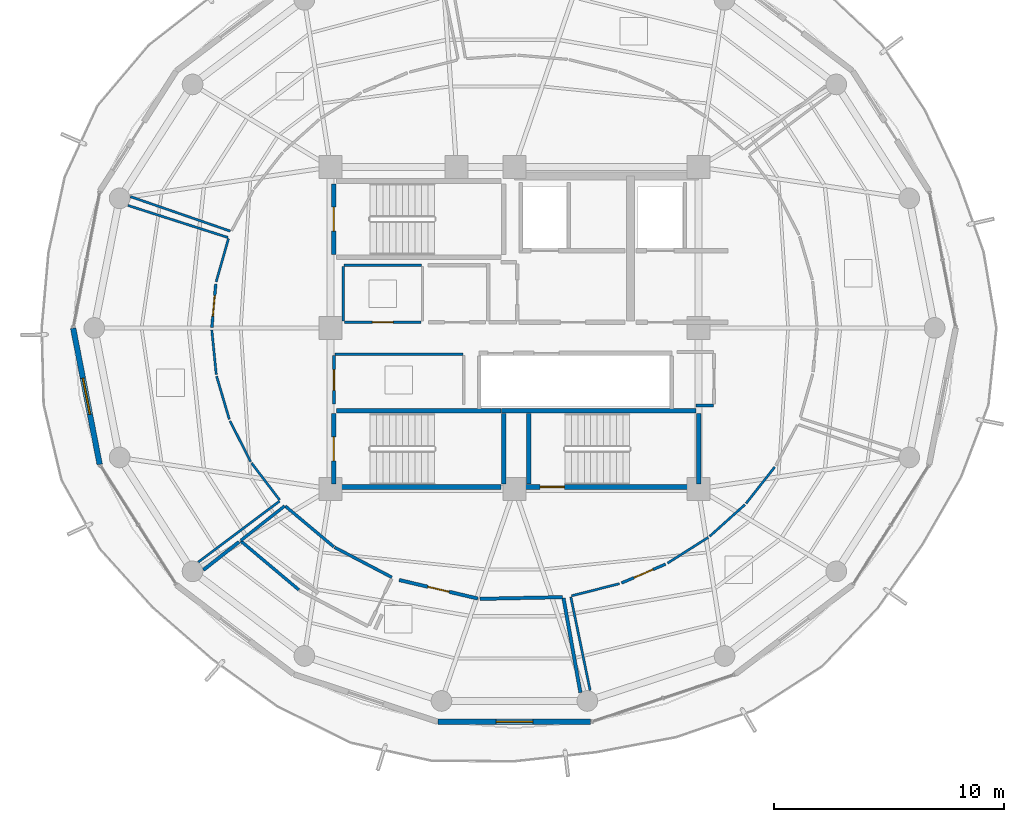
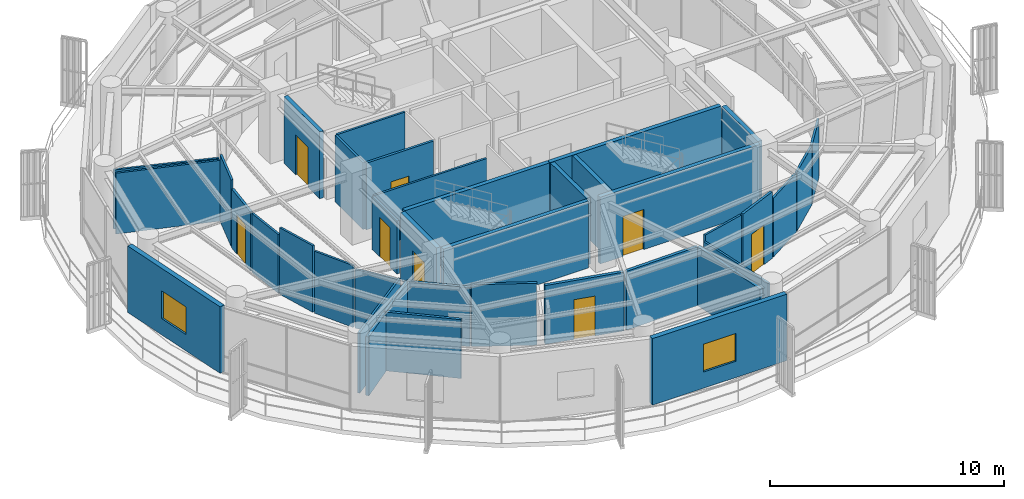
# One storey, part 16 of 23: 40 walls, 8 doors, 2 windows, 10 openings.
"""IFC4 building model written with IfcOpenShell, lengths in metres."""

from ifc_helpers import new_model, si_unit, direction, frame, frame_2d, origin, place, context, subcontext, project, spatial, rectangle, extrude, material, layer, layer_set, type_object, element, fill, save


model = new_model("IFC4")

# Units and contexts
model_context = context("Model", 3, precision=1e-05, world=origin(), true_north=direction((0.0, 1.0)))
body_context = subcontext(model_context, "Body", "Model", "MODEL_VIEW")
ifc_project = project(units=[si_unit("LENGTHUNIT", "METRE"), si_unit("AREAUNIT", "SQUARE_METRE"), si_unit("VOLUMEUNIT", "CUBIC_METRE"), si_unit("PLANEANGLEUNIT", "RADIAN"), si_unit("MASSUNIT", "GRAM", prefix="KILO")], contexts=[model_context])

# Site, building, storey
site_placement = place(None, origin())
site = spatial("IfcSite", under=ifc_project, at=site_placement, CompositionType="ELEMENT")
building_placement = place(site_placement, origin())
building = spatial("IfcBuilding", under=site, at=building_placement, Name="Kelanora Arch Commons", CompositionType="ELEMENT")
storey_placement = place(building_placement, frame((0.0, 0.0, 282.449951171875)))
storey = spatial("IfcBuildingStorey", under=building, at=storey_placement, Name="L72", CompositionType="ELEMENT", Elevation=282.449951171875)

# Wall, opening, door
ifc_material_1 = material(Name="Autoclaved aerated concrete blockwork with fire plaster", Category="masonry")
ifc_layer_1 = layer(ifc_material_1, 0.14990234375)
ifc_layer_set_1 = layer_set([ifc_layer_1], Name="Autoclaved aerated concrete blockwork with fire plaster")
wall_type_1 = type_object("IfcWallType", Name="W-COMP-150", PredefinedType="PARTITIONING", material=ifc_layer_set_1)
wall_1_placement = place(storey_placement, frame((68.9833984375, 47.033203125, 0.0), z_axis=(0.0, 0.0, 1.0), x_axis=(0.973265021884, -0.229684995542, 0.0)))
wall_1 = element("IfcWall", 1, at=wall_1_placement, inside=storey, type_object=wall_type_1, Name="Co-Living Studio L72-03 Entry Partition", PredefinedType="PARTITIONING", context=body_context, shape_type="SweptSolid", body=[
    extrude(rectangle(XDim=3.519287109375, YDim=0.14990234375, at=frame_2d((1.759765625, 0.0))), origin(), (0.0, 0.0, 1.0), 3.074951171875),
])
opening_1_placement = place(wall_1_placement, frame((1.284912109375, 0.0, 0.0)))
opening_1 = element("IfcOpeningElement", 2, at=opening_1_placement, cuts=wall_1, Name="Opening D-CLU1", PredefinedType="OPENING", context=body_context, shape_type="SweptSolid", body=[
    extrude(rectangle(XDim=0.949951171875, YDim=2.080078125, at=frame_2d((0.47509765625, 1.0400390625))), frame((0.0, 0.0849609375, 0.0), z_axis=(0.0, -1.0, 0.0), x_axis=(1.0, 0.0, 0.0)), (0.0, 0.0, 1.0), 0.169921875),
])
ifc_material_2 = material(Name="Solid-core acoustic timber cluster entry fire door", Category="wood")
door_type_1 = type_object("IfcDoorType", Name="D-CLU-95", OperationType="NOTDEFINED", PredefinedType="DOOR", material=ifc_material_2)
door_1_placement = place(opening_1_placement, origin())
door_1 = element("IfcDoor", 3, at=door_1_placement, inside=storey, type_object=door_type_1, Name="Co-Living Studio L72-03 Door", OperationType="SINGLE_SWING_RIGHT", OverallHeight=2.080078125, OverallWidth=0.949951171875, PredefinedType="DOOR", context=body_context, shape_type="SweptSolid", body=[
    extrude(rectangle(XDim=0.949951171875, YDim=2.080078125, at=frame_2d((0.47509765625, 1.0400390625))), frame((0.0, 0.02490234375, 0.0), z_axis=(0.0, -1.0, 0.0), x_axis=(1.0, 0.0, 0.0)), (0.0, 0.0, 1.0), 0.050048828125),
])
fill(opening_1, door_1)

# Walls
wall_2_placement = place(storey_placement, frame((72.507080078125, 46.2119140625, 0.0), z_axis=(0.0, 0.0, 1.0), x_axis=(0.999790880908, 0.02044980325, 0.0)))
element("IfcWall", 4, at=wall_2_placement, inside=storey, type_object=wall_type_1, Name="Co-Living Studio L72-03 Enclosure Partition 2", PredefinedType="PARTITIONING", context=body_context, shape_type="SweptSolid", body=[
    extrude(rectangle(XDim=3.58154296875, YDim=0.14990234375, at=frame_2d((1.790771484375, 0.0))), origin(), (0.0, 0.0, 1.0), 3.074951171875),
])
wall_3_placement = place(storey_placement, frame((76.135009765625, 46.24658203125, 0.0), z_axis=(0.0, 0.0, 1.0), x_axis=(0.176199339585, -0.984354505618, 0.0)))
element("IfcWall", 5, at=wall_3_placement, inside=storey, type_object=wall_type_1, Name="Co-Living Studio L72-03 Enclosure Partition 3", PredefinedType="PARTITIONING", context=body_context, shape_type="SweptSolid", body=[
    extrude(rectangle(XDim=4.17626953125, YDim=0.14990234375, at=frame_2d((2.088134765625, 0.0))), origin(), (0.0, 0.0, 1.0), 3.074951171875),
])
wall_4_placement = place(storey_placement, frame((60.4677734375, 47.467529296875, 0.0), z_axis=(0.0, 0.0, 1.0), x_axis=(0.785768578647, 0.618520606618, 0.0)))
element("IfcWall", 6, at=wall_4_placement, inside=storey, type_object=wall_type_1, Name="Co-Living Studio L72-03 Enclosure Partition 6", PredefinedType="PARTITIONING", context=body_context, shape_type="SweptSolid", body=[
    extrude(rectangle(XDim=1.9736328125, YDim=0.14990234375, at=frame_2d((0.98681640625, 0.0))), origin(), (0.0, 0.0, 1.0), 3.074951171875),
])

# Wall, opening, window
ifc_material_3 = material(Name="Precast concrete C40/50 upper-zone terracotta rainscreen", Category="masonry")
ifc_layer_2 = layer(ifc_material_3, 0.239990234375)
ifc_layer_set_2 = layer_set([ifc_layer_2], Name="Precast concrete C40/50 upper-zone terracotta rainscreen")
wall_type_2 = type_object("IfcWallType", Name="W-EXT-TC2", PredefinedType="SOLIDWALL", material=ifc_layer_set_2)
wall_5_placement = place(storey_placement, frame((54.802978515625, 57.9853515625, 0.0), z_axis=(0.0, 0.0, 1.0), x_axis=(0.190969309115, -0.981596008028, 0.0)))
wall_5 = element("IfcWall", 7, at=wall_5_placement, inside=storey, type_object=wall_type_2, Name="Terracotta Exterior Wall L72-B09", PredefinedType="SOLIDWALL", context=body_context, shape_type="SweptSolid", body=[
    extrude(rectangle(XDim=6.032958984375, YDim=0.239990234375, at=frame_2d((3.0166015625, 0.0))), origin(), (0.0, 0.0, 1.0), 3.47509765625),
])
opening_2_placement = place(wall_5_placement, frame((2.216064453125, 0.0, 0.85009765625)))
opening_2 = element("IfcOpeningElement", 8, at=opening_2_placement, cuts=wall_5, Name="Opening WN-01", PredefinedType="OPENING", context=body_context, shape_type="SweptSolid", body=[
    extrude(rectangle(XDim=1.60009765625, YDim=1.449951171875, at=frame_2d((0.800048828125, 0.72509765625))), frame((0.0, 0.1298828125, 0.0), z_axis=(0.0, -1.0, 0.0), x_axis=(1.0, 0.0, 0.0)), (0.0, 0.0, 1.0), 0.260009765625),
])
ifc_material_4 = material(Name="Terracotta-anodised aluminium frame with operable low-E glazing", Category="masonry")
window_type = type_object("IfcWindowType", Name="WIN-CL-18", PartitioningType="DOUBLE_PANEL_VERTICAL", PredefinedType="WINDOW", material=ifc_material_4)
window_1_placement = place(opening_2_placement, origin())
window_1 = element("IfcWindow", 9, at=window_1_placement, inside=storey, type_object=window_type, Name="Co-Living Operable Window L72-B09", OverallHeight=1.449951171875, OverallWidth=1.60009765625, PartitioningType="SINGLE_PANEL", PredefinedType="WINDOW", context=body_context, shape_type="SweptSolid", body=[
    extrude(rectangle(XDim=1.60009765625, YDim=1.449951171875, at=frame_2d((0.800048828125, 0.72509765625))), frame((0.0, 0.030029296875, 0.0), z_axis=(0.0, -1.0, 0.0), x_axis=(1.0, 0.0, 0.0)), (0.0, 0.0, 1.0), 0.06005859375),
])
fill(opening_2, window_1)

wall_6_placement = place(storey_placement, frame((70.680908203125, 40.8642578125, 0.0), z_axis=(0.0, 0.0, 1.0), x_axis=(1.0, 0.0, 0.0)))
wall_6 = element("IfcWall", 10, at=wall_6_placement, inside=storey, type_object=wall_type_2, Name="Terracotta Exterior Wall L72-B13", PredefinedType="SOLIDWALL", context=body_context, shape_type="SweptSolid", body=[
    extrude(rectangle(XDim=6.63818359375, YDim=0.239990234375, at=frame_2d((3.319091796875, 0.0))), origin(), (0.0, 0.0, 1.0), 3.47509765625),
])
opening_3_placement = place(wall_6_placement, frame((2.51904296875, 0.0, 0.85009765625)))
opening_3 = element("IfcOpeningElement", 11, at=opening_3_placement, cuts=wall_6, Name="Opening WN-01", PredefinedType="OPENING", context=body_context, shape_type="SweptSolid", body=[
    extrude(rectangle(XDim=1.60009765625, YDim=1.449951171875, at=frame_2d((0.800048828125, 0.72509765625))), frame((0.0, 0.1298828125, 0.0), z_axis=(0.0, -1.0, 0.0), x_axis=(1.0, 0.0, 0.0)), (0.0, 0.0, 1.0), 0.260009765625),
])
window_2_placement = place(opening_3_placement, origin())
window_2 = element("IfcWindow", 12, at=window_2_placement, inside=storey, type_object=window_type, Name="Co-Living Operable Window L72-B13", OverallHeight=1.449951171875, OverallWidth=1.60009765625, PartitioningType="SINGLE_PANEL", PredefinedType="WINDOW", context=body_context, shape_type="SweptSolid", body=[
    extrude(rectangle(XDim=1.60009765625, YDim=1.449951171875, at=frame_2d((0.800048828125, 0.72509765625))), frame((0.0, 0.030029296875, 0.0), z_axis=(0.0, -1.0, 0.0), x_axis=(1.0, 0.0, 0.0)), (0.0, 0.0, 1.0), 0.06005859375),
])
fill(opening_3, window_2)

# Walls
ifc_material_5 = material(Name="Lightweight fire-rated acoustic stud partition")
ifc_layer_3 = layer(ifc_material_5, 0.10009765625)
ifc_layer_set_3 = layer_set([ifc_layer_3], Name="Lightweight fire-rated acoustic stud partition")
wall_type_3 = type_object("IfcWallType", Name="W-PART-100", PredefinedType="PARTITIONING", material=ifc_layer_set_3)
wall_7_placement = place(storey_placement, frame((69.9599609375, 60.719970703125, 0.0), z_axis=(0.0, 0.0, 1.0), x_axis=(-1.0, 0.0, 0.0)))
element("IfcWall", 13, at=wall_7_placement, inside=storey, type_object=wall_type_3, Name="Reclaimed Core Quiet Phone Booths L72 Enclosure Partition 3", PredefinedType="PARTITIONING", context=body_context, shape_type="SweptSolid", body=[
    extrude(rectangle(XDim=3.369873046875, YDim=0.10009765625, at=frame_2d((1.68505859375, 0.0))), origin(), (0.0, 0.0, 1.0), 3.47998046875),
])
wall_8_placement = place(storey_placement, frame((66.550048828125, 60.679931640625, 0.0), z_axis=(0.0, 0.0, 1.0), x_axis=(0.0, -1.0, 0.0)))
element("IfcWall", 14, at=wall_8_placement, inside=storey, type_object=wall_type_3, Name="Reclaimed Core Quiet Phone Booths L72 Enclosure Partition 4", PredefinedType="PARTITIONING", context=body_context, shape_type="SweptSolid", body=[
    extrude(rectangle(XDim=2.389892578125, YDim=0.10009765625, at=frame_2d((1.19482421875, 0.0))), origin(), (0.0, 0.0, 1.0), 3.47998046875),
])
wall_9_placement = place(storey_placement, frame((71.760009765625, 56.85009765625, 0.0), z_axis=(0.0, 0.0, 1.0), x_axis=(-1.0, 0.0, 0.0)))
element("IfcWall", 15, at=wall_9_placement, inside=storey, type_object=wall_type_3, Name="Reclaimed Core High-Zone Pantry and Copy Room L72 Enclosure Partition 3", PredefinedType="PARTITIONING", context=body_context, shape_type="SweptSolid", body=[
    extrude(rectangle(XDim=5.570068359375, YDim=0.10009765625, at=frame_2d((2.78515625, 0.0))), origin(), (0.0, 0.0, 1.0), 2.775146484375),
])
wall_10_placement = place(storey_placement, frame((61.64208984375, 62.208984375, 0.0), z_axis=(0.0, 0.0, 1.0), x_axis=(-0.945103281494, 0.326771766388, 0.0)))
element("IfcWall", 16, at=wall_10_placement, inside=storey, type_object=wall_type_3, Name="Communal Dining and Social Hall L72-01 Enclosure Partition 7", PredefinedType="PARTITIONING", context=body_context, shape_type="SweptSolid", body=[
    extrude(rectangle(XDim=4.603759765625, YDim=0.10009765625, at=frame_2d((2.3017578125, 0.0))), origin(), (0.0, 0.0, 1.0), 3.074951171875),
])
wall_11_placement = place(storey_placement, frame((61.55908203125, 61.884521484375, 0.0), z_axis=(0.0, 0.0, 1.0), x_axis=(-0.274226302341, -0.961665188673, 0.0)))
element("IfcWall", 17, at=wall_11_placement, inside=storey, type_object=wall_type_3, Name="Social Sky Lounge L72-02 Enclosure Partition 1", PredefinedType="PARTITIONING", context=body_context, shape_type="SweptSolid", body=[
    extrude(rectangle(XDim=1.955078125, YDim=0.10009765625, at=frame_2d((0.9775390625, 0.0))), origin(), (0.0, 0.0, 1.0), 3.47998046875),
])
wall_12_placement = place(storey_placement, frame((60.833984375, 57.912109375, 0.0), z_axis=(0.0, 0.0, 1.0), x_axis=(0.098769631998, -0.995110325439, 0.0)))
element("IfcWall", 18, at=wall_12_placement, inside=storey, type_object=wall_type_3, Name="Social Sky Lounge L72-02 Enclosure Partition 3", PredefinedType="PARTITIONING", context=body_context, shape_type="SweptSolid", body=[
    extrude(rectangle(XDim=1.94287109375, YDim=0.10009765625, at=frame_2d((0.971435546875, 0.0))), origin(), (0.0, 0.0, 1.0), 3.074951171875),
])
wall_13_placement = place(storey_placement, frame((61.041259765625, 55.900634765625, 0.0), z_axis=(0.0, 0.0, 1.0), x_axis=(0.28293653612, -0.959138632591, 0.0)))
element("IfcWall", 19, at=wall_13_placement, inside=storey, type_object=wall_type_3, Name="Social Sky Lounge L72-02 Enclosure Partition 4", PredefinedType="PARTITIONING", context=body_context, shape_type="SweptSolid", body=[
    extrude(rectangle(XDim=1.9560546875, YDim=0.10009765625, at=frame_2d((0.97802734375, 0.0))), origin(), (0.0, 0.0, 1.0), 3.47998046875),
])
wall_14_placement = place(storey_placement, frame((61.6240234375, 53.950439453125, 0.0), z_axis=(0.0, 0.0, 1.0), x_axis=(0.453658133306, -0.891175795276, 0.0)))
element("IfcWall", 20, at=wall_14_placement, inside=storey, type_object=wall_type_3, Name="Social Sky Lounge L72-02 Enclosure Partition 5", PredefinedType="PARTITIONING", context=body_context, shape_type="SweptSolid", body=[
    extrude(rectangle(XDim=1.9814453125, YDim=0.10009765625, at=frame_2d((0.99072265625, 0.0))), origin(), (0.0, 0.0, 1.0), 3.235107421875),
])
wall_15_placement = place(storey_placement, frame((62.565185546875, 52.1171875, 0.0), z_axis=(0.0, 0.0, 1.0), x_axis=(0.605473441765, -0.795865510823, 0.0)))
element("IfcWall", 21, at=wall_15_placement, inside=storey, type_object=wall_type_3, Name="Social Sky Lounge L72-02 Enclosure Partition 6", PredefinedType="PARTITIONING", context=body_context, shape_type="SweptSolid", body=[
    extrude(rectangle(XDim=2.014404296875, YDim=0.10009765625, at=frame_2d((1.00732421875, 0.0))), origin(), (0.0, 0.0, 1.0), 3.074951171875),
])
wall_16_placement = place(storey_placement, frame((63.777099609375, 50.4580078125, 0.0), z_axis=(0.0, 0.0, 1.0), x_axis=(-0.800384816546, -0.599486568191, 0.0)))
element("IfcWall", 22, at=wall_16_placement, inside=storey, type_object=wall_type_3, Name="Social Sky Lounge L72-02 Enclosure Partition 7", PredefinedType="PARTITIONING", context=body_context, shape_type="SweptSolid", body=[
    extrude(rectangle(XDim=4.413818359375, YDim=0.10009765625, at=frame_2d((2.20703125, 0.0))), origin(), (0.0, 0.0, 1.0), 3.175048828125),
])
wall_17_placement = place(storey_placement, frame((57.184326171875, 63.328857421875, 0.0), z_axis=(0.0, 0.0, 1.0), x_axis=(0.95227750557, -0.305233602976, 0.0)))
element("IfcWall", 23, at=wall_17_placement, inside=storey, type_object=wall_type_3, Name="Social Sky Lounge L72-02 Enclosure Partition 14", PredefinedType="PARTITIONING", context=body_context, shape_type="SweptSolid", body=[
    extrude(rectangle(XDim=4.5654296875, YDim=0.10009765625, at=frame_2d((2.28271484375, 0.0))), origin(), (0.0, 0.0, 1.0), 3.175048828125),
])
wall_18_placement = place(storey_placement, frame((76.48388671875, 46.345703125, 0.0), z_axis=(0.0, 0.0, 1.0), x_axis=(0.969827312174, 0.243792913272, 0.0)))
element("IfcWall", 24, at=wall_18_placement, inside=storey, type_object=wall_type_3, Name="Quiet Seminar Study Room L72-04 Enclosure Partition 1", PredefinedType="PARTITIONING", context=body_context, shape_type="SweptSolid", body=[
    extrude(rectangle(XDim=2.14697265625, YDim=0.10009765625, at=frame_2d((1.073486328125, 0.0))), origin(), (0.0, 0.0, 1.0), 3.47998046875),
])
wall_19_placement = place(storey_placement, frame((80.664794921875, 47.766357421875, 0.0), z_axis=(0.0, 0.0, 1.0), x_axis=(0.844856002064, 0.534993771717, 0.0)))
element("IfcWall", 25, at=wall_19_placement, inside=storey, type_object=wall_type_3, Name="Quiet Seminar Study Room L72-04 Enclosure Partition 3", PredefinedType="PARTITIONING", context=body_context, shape_type="SweptSolid", body=[
    extrude(rectangle(XDim=2.091796875, YDim=0.10009765625, at=frame_2d((1.0458984375, 0.0))), origin(), (0.0, 0.0, 1.0), 3.074951171875),
])
wall_20_placement = place(storey_placement, frame((82.495849609375, 48.93359375, 0.0), z_axis=(0.0, 0.0, 1.0), x_axis=(0.743943808924, 0.668242178527, 0.0)))
element("IfcWall", 26, at=wall_20_placement, inside=storey, type_object=wall_type_3, Name="Quiet Seminar Study Room L72-04 Enclosure Partition 4", PredefinedType="PARTITIONING", context=body_context, shape_type="SweptSolid", body=[
    extrude(rectangle(XDim=2.054443359375, YDim=0.10009765625, at=frame_2d((1.02734375, 0.0))), origin(), (0.0, 0.0, 1.0), 3.074951171875),
])
wall_21_placement = place(storey_placement, frame((84.07861328125, 50.364501953125, 0.0), z_axis=(0.0, 0.0, 1.0), x_axis=(0.618820199788, 0.785532660259, 0.0)))
element("IfcWall", 27, at=wall_21_placement, inside=storey, type_object=wall_type_3, Name="Quiet Seminar Study Room L72-04 Enclosure Partition 5", PredefinedType="PARTITIONING", context=body_context, shape_type="SweptSolid", body=[
    extrude(rectangle(XDim=2.01806640625, YDim=0.10009765625, at=frame_2d((1.009033203125, 0.0))), origin(), (0.0, 0.0, 1.0), 3.074951171875),
])
wall_22_placement = place(storey_placement, frame((77.293212890625, 42.230224609375, 0.0), z_axis=(0.0, 0.0, 1.0), x_axis=(-0.202308141573, 0.979321916355, 0.0)))
element("IfcWall", 28, at=wall_22_placement, inside=storey, type_object=wall_type_3, Name="Quiet Seminar Study Room L72-04 Enclosure Partition 14", PredefinedType="PARTITIONING", context=body_context, shape_type="SweptSolid", body=[
    extrude(rectangle(XDim=4.152587890625, YDim=0.10009765625, at=frame_2d((2.076171875, 0.0))), origin(), (0.0, 0.0, 1.0), 3.175048828125),
])

# Wall, opening, door
ifc_material_6 = material(Name="Acoustic twin-stud fire-rated gypsum partition")
ifc_layer_4 = layer(ifc_material_6, 0.1201171875)
ifc_layer_set_4 = layer_set([ifc_layer_4], Name="Acoustic twin-stud fire-rated gypsum partition")
wall_type_4 = type_object("IfcWallType", Name="W-PART-120", PredefinedType="PARTITIONING", material=ifc_layer_set_4)
wall_23_placement = place(storey_placement, frame((66.610107421875, 58.25, 0.0), z_axis=(0.0, 0.0, 1.0), x_axis=(1.0, 0.0, 0.0)))
wall_23 = element("IfcWall", 29, at=wall_23_placement, inside=storey, type_object=wall_type_4, Name="Reclaimed Core Quiet Phone Booths L72 Entry Partition", PredefinedType="PARTITIONING", context=body_context, shape_type="SweptSolid", body=[
    extrude(rectangle(XDim=3.329833984375, YDim=0.1201171875, at=frame_2d((1.6650390625, 0.0))), origin(), (0.0, 0.0, 1.0), 3.47998046875),
])
opening_4_placement = place(wall_23_placement, frame((1.215087890625, 0.0, 0.0)))
opening_4 = element("IfcOpeningElement", 30, at=opening_4_placement, cuts=wall_23, Name="Opening D-RM1", PredefinedType="OPENING", context=body_context, shape_type="SweptSolid", body=[
    extrude(rectangle(XDim=0.89990234375, YDim=2.080078125, at=frame_2d((0.449951171875, 1.0400390625))), frame((0.0, 0.070068359375, 0.0), z_axis=(0.0, -1.0, 0.0), x_axis=(1.0, 0.0, 0.0)), (0.0, 0.0, 1.0), 0.14013671875),
])
ifc_material_7 = material(Name="Acoustic fire-rated timber study and lounge door", Category="wood")
door_type_2 = type_object("IfcDoorType", Name="D-ROOM-90", OperationType="NOTDEFINED", PredefinedType="DOOR", material=ifc_material_7)
door_2_placement = place(opening_4_placement, origin())
door_2 = element("IfcDoor", 31, at=door_2_placement, inside=storey, type_object=door_type_2, Name="Reclaimed Core Quiet Phone Booths L72 Door", OperationType="SINGLE_SWING_RIGHT", OverallHeight=2.080078125, OverallWidth=0.89990234375, PredefinedType="DOOR", context=body_context, shape_type="SweptSolid", body=[
    extrude(rectangle(XDim=0.89990234375, YDim=2.080078125, at=frame_2d((0.449951171875, 1.0400390625))), frame((0.0, 0.02490234375, 0.0), z_axis=(0.0, -1.0, 0.0), x_axis=(1.0, 0.0, 0.0)), (0.0, 0.0, 1.0), 0.050048828125),
])
fill(opening_4, door_2)

wall_24_placement = place(storey_placement, frame((66.14990234375, 54.679931640625, 0.0), z_axis=(0.0, 0.0, 1.0), x_axis=(0.0, 1.0, 0.0)))
wall_24 = element("IfcWall", 32, at=wall_24_placement, inside=storey, type_object=wall_type_4, Name="Reclaimed Core High-Zone Pantry and Copy Room L72 Entry Partition", PredefinedType="PARTITIONING", context=body_context, shape_type="SweptSolid", body=[
    extrude(rectangle(XDim=2.110107421875, YDim=0.1201171875, at=frame_2d((1.05517578125, 0.0))), origin(), (0.0, 0.0, 1.0), 2.775146484375),
])
opening_5_placement = place(wall_24_placement, frame((0.60498046875, 0.0, 0.0)))
opening_5 = element("IfcOpeningElement", 33, at=opening_5_placement, cuts=wall_24, Name="Opening D-RM1", PredefinedType="OPENING", context=body_context, shape_type="SweptSolid", body=[
    extrude(rectangle(XDim=0.89990234375, YDim=2.080078125, at=frame_2d((0.449951171875, 1.0400390625))), frame((0.0, 0.070068359375, 0.0), z_axis=(0.0, -1.0, 0.0), x_axis=(1.0, 0.0, 0.0)), (0.0, 0.0, 1.0), 0.14013671875),
])
door_3_placement = place(opening_5_placement, origin())
door_3 = element("IfcDoor", 34, at=door_3_placement, inside=storey, type_object=door_type_2, Name="Reclaimed Core High-Zone Pantry and Copy Room L72 Door", OperationType="SINGLE_SWING_RIGHT", OverallHeight=2.080078125, OverallWidth=0.89990234375, PredefinedType="DOOR", context=body_context, shape_type="SweptSolid", body=[
    extrude(rectangle(XDim=0.89990234375, YDim=2.080078125, at=frame_2d((0.449951171875, 1.0400390625))), frame((0.0, 0.02490234375, 0.0), z_axis=(0.0, -1.0, 0.0), x_axis=(1.0, 0.0, 0.0)), (0.0, 0.0, 1.0), 0.050048828125),
])
fill(opening_5, door_3)

wall_25_placement = place(storey_placement, frame((61.006591796875, 59.90625, 0.0), z_axis=(0.0, 0.0, 1.0), x_axis=(-0.089968706127, -0.995944592795, 0.0)))
wall_25 = element("IfcWall", 35, at=wall_25_placement, inside=storey, type_object=wall_type_4, Name="Social Sky Lounge L72-02 Entry Partition", PredefinedType="PARTITIONING", context=body_context, shape_type="SweptSolid", body=[
    extrude(rectangle(XDim=1.90234375, YDim=0.1201171875, at=frame_2d((0.951171875, 0.0))), origin(), (0.0, 0.0, 1.0), 3.074951171875),
])
opening_6_placement = place(wall_25_placement, frame((0.5009765625, 0.0, 0.0)))
opening_6 = element("IfcOpeningElement", 36, at=opening_6_placement, cuts=wall_25, Name="Opening D-RM1", PredefinedType="OPENING", context=body_context, shape_type="SweptSolid", body=[
    extrude(rectangle(XDim=0.89990234375, YDim=2.080078125, at=frame_2d((0.449951171875, 1.0400390625))), frame((0.0, 0.070068359375, 0.0), z_axis=(0.0, -1.0, 0.0), x_axis=(1.0, 0.0, 0.0)), (0.0, 0.0, 1.0), 0.14013671875),
])
door_4_placement = place(opening_6_placement, origin())
door_4 = element("IfcDoor", 37, at=door_4_placement, inside=storey, type_object=door_type_2, Name="Social Sky Lounge L72-02 Door", OperationType="SINGLE_SWING_RIGHT", OverallHeight=2.080078125, OverallWidth=0.89990234375, PredefinedType="DOOR", context=body_context, shape_type="SweptSolid", body=[
    extrude(rectangle(XDim=0.89990234375, YDim=2.080078125, at=frame_2d((0.449951171875, 1.0400390625))), frame((0.0, 0.02490234375, 0.0), z_axis=(0.0, -1.0, 0.0), x_axis=(1.0, 0.0, 0.0)), (0.0, 0.0, 1.0), 0.050048828125),
])
fill(opening_6, door_4)

wall_26_placement = place(storey_placement, frame((78.66015625, 46.902587890625, 0.0), z_axis=(0.0, 0.0, 1.0), x_axis=(0.919508345424, 0.39307048057, 0.0)))
wall_26 = element("IfcWall", 38, at=wall_26_placement, inside=storey, type_object=wall_type_4, Name="Quiet Seminar Study Room L72-04 Entry Partition", PredefinedType="PARTITIONING", context=body_context, shape_type="SweptSolid", body=[
    extrude(rectangle(XDim=2.083251953125, YDim=0.1201171875, at=frame_2d((1.04150390625, 0.0))), origin(), (0.0, 0.0, 1.0), 3.47998046875),
])
opening_7_placement = place(wall_26_placement, frame((0.592041015625, 0.0, 0.0)))
opening_7 = element("IfcOpeningElement", 39, at=opening_7_placement, cuts=wall_26, Name="Opening D-RM1", PredefinedType="OPENING", context=body_context, shape_type="SweptSolid", body=[
    extrude(rectangle(XDim=0.89990234375, YDim=2.080078125, at=frame_2d((0.449951171875, 1.0400390625))), frame((0.0, 0.070068359375, 0.0), z_axis=(0.0, -1.0, 0.0), x_axis=(1.0, 0.0, 0.0)), (0.0, 0.0, 1.0), 0.14013671875),
])
door_5_placement = place(opening_7_placement, origin())
door_5 = element("IfcDoor", 40, at=door_5_placement, inside=storey, type_object=door_type_2, Name="Quiet Seminar Study Room L72-04 Door", OperationType="SINGLE_SWING_LEFT", OverallHeight=2.080078125, OverallWidth=0.89990234375, PredefinedType="DOOR", context=body_context, shape_type="SweptSolid", body=[
    extrude(rectangle(XDim=0.89990234375, YDim=2.080078125, at=frame_2d((0.449951171875, 1.0400390625))), frame((0.0, 0.02490234375, 0.0), z_axis=(0.0, -1.0, 0.0), x_axis=(1.0, 0.0, 0.0)), (0.0, 0.0, 1.0), 0.050048828125),
])
fill(opening_7, door_5)

ifc_material_8 = material(Name="Concrete C40/50", Category="concrete")
ifc_layer_5 = layer(ifc_material_8, 0.199951171875)
ifc_layer_set_5 = layer_set([ifc_layer_5], Name="Concrete C40/50")
wall_type_5 = type_object("IfcWallType", Name="W-STAIR-200", PredefinedType="SHEAR", material=ifc_layer_set_5)
wall_27_placement = place(storey_placement, frame((66.139892578125, 64.27001953125, 0.0), z_axis=(0.0, 0.0, 1.0), x_axis=(0.0, -1.0, 0.0)))
wall_27 = element("IfcWall", 41, at=wall_27_placement, inside=storey, type_object=wall_type_5, Name="Stair ST-T1 Shaft Wall W L72", PredefinedType="SHEAR", context=body_context, shape_type="SweptSolid", body=[
    extrude(rectangle(XDim=3.070068359375, YDim=0.199951171875, at=frame_2d((1.53515625, 0.0))), origin(), (0.0, 0.0, 1.0), 3.489990234375),
])
opening_8_placement = place(wall_27_placement, frame((1.010009765625, 0.0, 0.0)))
opening_8 = element("IfcOpeningElement", 42, at=opening_8_placement, cuts=wall_27, Name="Opening D-ST1", PredefinedType="OPENING", context=body_context, shape_type="SweptSolid", body=[
    extrude(rectangle(XDim=1.050048828125, YDim=2.10009765625, at=frame_2d((0.52490234375, 1.050048828125))), frame((0.0, 0.10986328125, 0.0), z_axis=(0.0, -1.0, 0.0), x_axis=(1.0, 0.0, 0.0)), (0.0, 0.0, 1.0), 0.219970703125),
])
ifc_material_9 = material(Name="Steel fire-rated stairwell escape door", Category="steel")
door_type_3 = type_object("IfcDoorType", Name="D-STAIR-110", OperationType="NOTDEFINED", PredefinedType="DOOR", material=ifc_material_9)
door_6_placement = place(opening_8_placement, origin())
door_6 = element("IfcDoor", 43, at=door_6_placement, inside=storey, type_object=door_type_3, Name="Stair ST-T1 Escape Door L72", OperationType="SINGLE_SWING_LEFT", OverallHeight=2.10009765625, OverallWidth=1.050048828125, PredefinedType="DOOR", context=body_context, shape_type="SweptSolid", body=[
    extrude(rectangle(XDim=1.050048828125, YDim=2.10009765625, at=frame_2d((0.52490234375, 1.050048828125))), frame((0.0, 0.02490234375, 0.0), z_axis=(0.0, -1.0, 0.0), x_axis=(1.0, 0.0, 0.0)), (0.0, 0.0, 1.0), 0.050048828125),
])
fill(opening_8, door_6)

wall_28_placement = place(storey_placement, frame((74.0, 51.080078125, 0.0), z_axis=(0.0, 0.0, 1.0), x_axis=(1.0, 0.0, 0.0)))
wall_28 = element("IfcWall", 44, at=wall_28_placement, inside=storey, type_object=wall_type_5, Name="Stair ST-T2 Shaft Wall S L72", PredefinedType="SHEAR", context=body_context, shape_type="SweptSolid", body=[
    extrude(rectangle(XDim=7.89990234375, YDim=0.199951171875, at=frame_2d((3.949951171875, 0.0))), origin(), (0.0, 0.0, 1.0), 3.489990234375),
])
opening_9_placement = place(wall_28_placement, frame((1.1201171875, 0.0, 0.0)))
opening_9 = element("IfcOpeningElement", 45, at=opening_9_placement, cuts=wall_28, Name="Opening D-ST1", PredefinedType="OPENING", context=body_context, shape_type="SweptSolid", body=[
    extrude(rectangle(XDim=1.050048828125, YDim=2.10009765625, at=frame_2d((0.52490234375, 1.050048828125))), frame((0.0, 0.10986328125, 0.0), z_axis=(0.0, -1.0, 0.0), x_axis=(1.0, 0.0, 0.0)), (0.0, 0.0, 1.0), 0.219970703125),
])
door_7_placement = place(opening_9_placement, origin())
door_7 = element("IfcDoor", 46, at=door_7_placement, inside=storey, type_object=door_type_3, Name="Stair ST-T2 Escape Door L72", OperationType="SINGLE_SWING_LEFT", OverallHeight=2.10009765625, OverallWidth=1.050048828125, PredefinedType="DOOR", context=body_context, shape_type="SweptSolid", body=[
    extrude(rectangle(XDim=1.050048828125, YDim=2.10009765625, at=frame_2d((0.52490234375, 1.050048828125))), frame((0.0, 0.02490234375, 0.0), z_axis=(0.0, -1.0, 0.0), x_axis=(1.0, 0.0, 0.0)), (0.0, 0.0, 1.0), 0.050048828125),
])
fill(opening_9, door_7)

# Walls
wall_29_placement = place(storey_placement, frame((82.02001953125, 51.199951171875, 0.0), z_axis=(0.0, 0.0, 1.0), x_axis=(0.0, 1.0, 0.0)))
element("IfcWall", 47, at=wall_29_placement, inside=storey, type_object=wall_type_5, Name="Stair ST-T2 Shaft Wall E L72", PredefinedType="SHEAR", context=body_context, shape_type="SweptSolid", body=[
    extrude(rectangle(XDim=3.070068359375, YDim=0.199951171875, at=frame_2d((1.53515625, 0.0))), origin(), (0.0, 0.0, 1.0), 3.489990234375),
])
wall_30_placement = place(storey_placement, frame((81.89990234375, 54.389892578125, 0.0), z_axis=(0.0, 0.0, 1.0), x_axis=(-1.0, 0.0, 0.0)))
element("IfcWall", 48, at=wall_30_placement, inside=storey, type_object=wall_type_5, Name="Stair ST-T2 Shaft Wall N L72", PredefinedType="SHEAR", context=body_context, shape_type="SweptSolid", body=[
    extrude(rectangle(XDim=8.4599609375, YDim=0.199951171875, at=frame_2d((4.22998046875, 0.0))), origin(), (0.0, 0.0, 1.0), 3.489990234375),
])
wall_31_placement = place(storey_placement, frame((74.6201171875, 54.27001953125, 0.0), z_axis=(0.0, 0.0, 1.0), x_axis=(0.0, -1.0, 0.0)))
element("IfcWall", 49, at=wall_31_placement, inside=storey, type_object=wall_type_5, Name="Stair ST-T2 Shaft Wall W L72", PredefinedType="SHEAR", context=body_context, shape_type="SweptSolid", body=[
    extrude(rectangle(XDim=3.070068359375, YDim=0.199951171875, at=frame_2d((1.53515625, 0.0))), origin(), (0.0, 0.0, 1.0), 3.489990234375),
])
wall_32_placement = place(storey_placement, frame((66.260009765625, 51.080078125, 0.0), z_axis=(0.0, 0.0, 1.0), x_axis=(1.0, 0.0, 0.0)))
element("IfcWall", 50, at=wall_32_placement, inside=storey, type_object=wall_type_5, Name="Stair ST-T3 Shaft Wall S L72", PredefinedType="SHEAR", context=body_context, shape_type="SweptSolid", body=[
    extrude(rectangle(XDim=7.159912109375, YDim=0.199951171875, at=frame_2d((3.580078125, 0.0))), origin(), (0.0, 0.0, 1.0), 3.489990234375),
])
wall_33_placement = place(storey_placement, frame((73.5400390625, 51.199951171875, 0.0), z_axis=(0.0, 0.0, 1.0), x_axis=(0.0, 1.0, 0.0)))
element("IfcWall", 51, at=wall_33_placement, inside=storey, type_object=wall_type_5, Name="Stair ST-T3 Shaft Wall E L72", PredefinedType="SHEAR", context=body_context, shape_type="SweptSolid", body=[
    extrude(rectangle(XDim=3.070068359375, YDim=0.199951171875, at=frame_2d((1.53515625, 0.0))), origin(), (0.0, 0.0, 1.0), 3.489990234375),
])
wall_34_placement = place(storey_placement, frame((73.419921875, 54.389892578125, 0.0), z_axis=(0.0, 0.0, 1.0), x_axis=(-1.0, 0.0, 0.0)))
element("IfcWall", 52, at=wall_34_placement, inside=storey, type_object=wall_type_5, Name="Stair ST-T3 Shaft Wall N L72", PredefinedType="SHEAR", context=body_context, shape_type="SweptSolid", body=[
    extrude(rectangle(XDim=7.159912109375, YDim=0.199951171875, at=frame_2d((3.580078125, 0.0))), origin(), (0.0, 0.0, 1.0), 3.489990234375),
])

# Wall, opening, door
wall_35_placement = place(storey_placement, frame((66.139892578125, 54.27001953125, 0.0), z_axis=(0.0, 0.0, 1.0), x_axis=(0.0, -1.0, 0.0)))
wall_35 = element("IfcWall", 53, at=wall_35_placement, inside=storey, type_object=wall_type_5, Name="Stair ST-T3 Shaft Wall W L72", PredefinedType="SHEAR", context=body_context, shape_type="SweptSolid", body=[
    extrude(rectangle(XDim=3.070068359375, YDim=0.199951171875, at=frame_2d((1.53515625, 0.0))), origin(), (0.0, 0.0, 1.0), 3.489990234375),
])
opening_10_placement = place(wall_35_placement, frame((1.010009765625, 0.0, 0.0)))
opening_10 = element("IfcOpeningElement", 54, at=opening_10_placement, cuts=wall_35, Name="Opening D-ST1", PredefinedType="OPENING", context=body_context, shape_type="SweptSolid", body=[
    extrude(rectangle(XDim=1.050048828125, YDim=2.10009765625, at=frame_2d((0.52490234375, 1.050048828125))), frame((0.0, 0.10986328125, 0.0), z_axis=(0.0, -1.0, 0.0), x_axis=(1.0, 0.0, 0.0)), (0.0, 0.0, 1.0), 0.219970703125),
])
door_8_placement = place(opening_10_placement, origin())
door_8 = element("IfcDoor", 55, at=door_8_placement, inside=storey, type_object=door_type_3, Name="Stair ST-T3 Escape Door L72", OperationType="SINGLE_SWING_LEFT", OverallHeight=2.10009765625, OverallWidth=1.050048828125, PredefinedType="DOOR", context=body_context, shape_type="SweptSolid", body=[
    extrude(rectangle(XDim=1.050048828125, YDim=2.10009765625, at=frame_2d((0.52490234375, 1.050048828125))), frame((0.0, 0.02490234375, 0.0), z_axis=(0.0, -1.0, 0.0), x_axis=(1.0, 0.0, 0.0)), (0.0, 0.0, 1.0), 0.050048828125),
])
fill(opening_10, door_8)

# Walls
ifc_material_10 = material(Name="Moisture-resistant fire-rated cement-board plumbing wall")
ifc_layer_6 = layer(ifc_material_10, 0.1298828125)
ifc_layer_set_6 = layer_set([ifc_layer_6], Name="Moisture-resistant fire-rated cement-board plumbing wall")
wall_type_6 = type_object("IfcWallType", Name="W-WET-120", PredefinedType="PLUMBINGWALL", material=ifc_layer_set_6)
wall_36_placement = place(storey_placement, frame((81.89990234375, 54.6201171875, 0.0), z_axis=(0.0, 0.0, 1.0), x_axis=(1.0, 0.0, 0.0)))
element("IfcWall", 56, at=wall_36_placement, inside=storey, type_object=wall_type_6, Name="Core Accessible Unisex WC L72 Enclosure Partition 1", PredefinedType="PLUMBINGWALL", context=body_context, shape_type="SweptSolid", body=[
    extrude(rectangle(XDim=0.760009765625, YDim=0.1298828125, at=frame_2d((0.3798828125, 0.0))), origin(), (0.0, 0.0, 1.0), 2.775146484375),
])
wall_37_placement = place(storey_placement, frame((64.0302734375, 50.2470703125, 0.0), z_axis=(0.0, 0.0, 1.0), x_axis=(0.766167599315, -0.642640809286, 0.0)))
element("IfcWall", 57, at=wall_37_placement, inside=storey, type_object=wall_type_6, Name="En-Suite Shower WC L72-03 Enclosure Partition 1", PredefinedType="PLUMBINGWALL", context=body_context, shape_type="SweptSolid", body=[
    extrude(rectangle(XDim=2.753173828125, YDim=0.1298828125, at=frame_2d((1.37646484375, 0.0))), origin(), (0.0, 0.0, 1.0), 3.074951171875),
])
wall_38_placement = place(storey_placement, frame((66.172607421875, 48.455810546875, 0.0), z_axis=(0.0, 0.0, 1.0), x_axis=(0.885795858503, -0.464075098512, 0.0)))
element("IfcWall", 58, at=wall_38_placement, inside=storey, type_object=wall_type_6, Name="En-Suite Shower WC L72-03 Enclosure Partition 2", PredefinedType="PLUMBINGWALL", context=body_context, shape_type="SweptSolid", body=[
    extrude(rectangle(XDim=2.81298828125, YDim=0.1298828125, at=frame_2d((1.406494140625, 0.0))), origin(), (0.0, 0.0, 1.0), 3.235107421875),
])
wall_39_placement = place(storey_placement, frame((64.61962890625, 46.60498046875, 0.0), z_axis=(0.0, 0.0, 1.0), x_axis=(-0.765494729633, 0.643442164382, 0.0)))
element("IfcWall", 59, at=wall_39_placement, inside=storey, type_object=wall_type_6, Name="En-Suite Shower WC L72-03 Enclosure Partition 5", PredefinedType="PLUMBINGWALL", context=body_context, shape_type="SweptSolid", body=[
    extrude(rectangle(XDim=3.29638671875, YDim=0.1298828125, at=frame_2d((1.648193359375, 0.0))), origin(), (0.0, 0.0, 1.0), 3.074951171875),
])
wall_40_placement = place(storey_placement, frame((62.0966796875, 48.75146484375, 0.0), z_axis=(0.0, 0.0, 1.0), x_axis=(0.786076764473, 0.618128886525, 0.0)))
element("IfcWall", 60, at=wall_40_placement, inside=storey, type_object=wall_type_6, Name="En-Suite Shower WC L72-03 Enclosure Partition 6", PredefinedType="PLUMBINGWALL", context=body_context, shape_type="SweptSolid", body=[
    extrude(rectangle(XDim=2.42041015625, YDim=0.1298828125, at=frame_2d((1.210205078125, 0.0))), origin(), (0.0, 0.0, 1.0), 3.074951171875),
])

save(model, "model.ifc")
